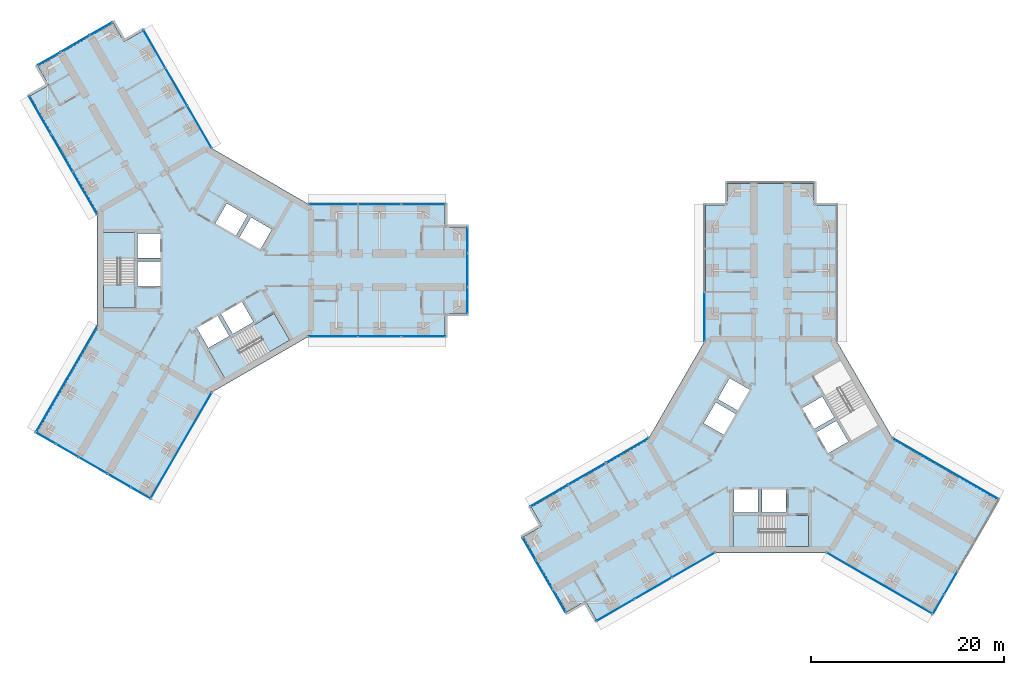
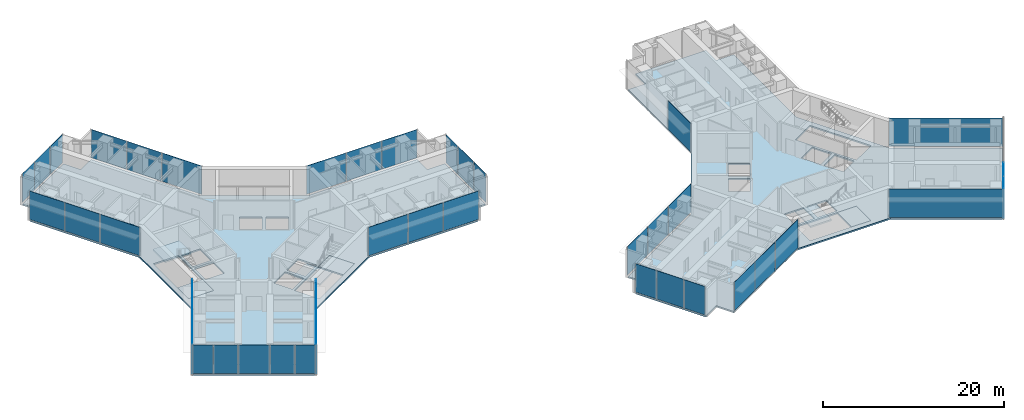
# One storey, part 13 of 22: 39 plates, 8 slabs, 19 elements without a shape of their own.
"""IFC4 building model written with IfcOpenShell, lengths in metres."""

import ifcopenshell
import ifcopenshell.guid

model = None  # the IFC model being written
_history = None  # IfcOwnerHistory: only IFC2X3 demands one
_inside = {}  # id of a spatial element -> (the spatial element, [elements in it])
_under = {}  # id of a project, library or spatial element -> (it, [spatial elements below it])
_declared = {}  # id of a project -> (the project, [libraries it declares])
_typed = {}  # id of a type object -> (the type object, [elements of that type])
_made_of = {}  # id of a material, layer set ... -> (it, [elements and type objects made of it])


def new_model(schema):
    """Start an empty IFC model of exactly this schema.

    Asked for "IFC4X3", IfcOpenShell would pick the latest addendum, in which some entities
    have other attributes; the version numbers below select the first issue.
    IFC2X3 requires an IfcOwnerHistory on every rooted entity: one is made here for all.
    """
    global model, _history
    if schema == "IFC4X3":
        model = ifcopenshell.file(schema_version=(4, 3, 0, 0))
    else:
        model = ifcopenshell.file(schema=schema)
    _inside.clear()
    _under.clear()
    _declared.clear()
    _typed.clear()
    _made_of.clear()
    _history = None
    if model.schema == "IFC2X3":
        org = make("IfcOrganization", Name="unknown")
        user = make(
            "IfcPersonAndOrganization",
            ThePerson=make("IfcPerson", FamilyName="unknown"),
            TheOrganization=org,
        )
        app = make(
            "IfcApplication",
            ApplicationDeveloper=org,
            Version="unknown",
            ApplicationFullName="unknown",
            ApplicationIdentifier="unknown",
        )
        _history = make(
            "IfcOwnerHistory",
            OwningUser=user,
            OwningApplication=app,
            ChangeAction="ADDED",
            CreationDate=0,
        )
    return model


def make(cls, **values):
    """One entity of the class cls with the attributes given. An attribute that is None is left unset."""
    return model.create_entity(
        cls, **{name: value for name, value in values.items() if value is not None}
    )


def rooted(cls, **values):
    """An entity with a GlobalId (a new one), such as an element, a storey or a relation."""
    return make(cls, GlobalId=ifcopenshell.guid.new(), OwnerHistory=_history, **values)


def si_unit(unit_type, name, prefix=None):
    """IfcSIUnit, for example si_unit("LENGTHUNIT", "METRE", prefix="MILLI")."""
    return make("IfcSIUnit", UnitType=unit_type, Prefix=prefix, Name=name)


def assignment(units):
    """IfcUnitAssignment: the units of a project."""
    return None if units is None else make("IfcUnitAssignment", Units=units)


def point(xyz):
    """IfcCartesianPoint."""
    return None if xyz is None else make("IfcCartesianPoint", Coordinates=xyz)


def direction(xyz):
    """IfcDirection."""
    return None if xyz is None else make("IfcDirection", DirectionRatios=xyz)


def frame(location, z_axis=None, x_axis=None):
    """IfcAxis2Placement3D, a coordinate frame: its origin and axes. An axis left out is left unset."""
    return make(
        "IfcAxis2Placement3D",
        Location=point(location),
        Axis=direction(z_axis),
        RefDirection=direction(x_axis),
    )


def frame_2d(location, x_axis=None):
    """IfcAxis2Placement2D, a coordinate frame in the plane: its origin and x axis."""
    return make(
        "IfcAxis2Placement2D", Location=point(location), RefDirection=direction(x_axis)
    )


def origin():
    """The frame at (0, 0, 0) with its axes left unset."""
    return frame((0.0, 0.0, 0.0))


def origin_2d():
    """The frame at (0, 0) in the plane with its x axis left unset."""
    return frame_2d((0.0, 0.0))


def place(relative_to, where):
    """IfcLocalPlacement: puts the frame where relative to a parent placement (None: the world)."""
    return make(
        "IfcLocalPlacement", PlacementRelTo=relative_to, RelativePlacement=where
    )


def context(
    kind, dimensions, precision=None, world=None, true_north=None, identifier=None
):
    """IfcGeometricRepresentationContext, for example the 3D "Model" context."""
    return make(
        "IfcGeometricRepresentationContext",
        ContextIdentifier=identifier,
        ContextType=kind,
        CoordinateSpaceDimension=dimensions,
        Precision=precision,
        WorldCoordinateSystem=world,
        TrueNorth=true_north,
    )


def subcontext(parent, identifier, kind, view, scale=None):
    """IfcGeometricRepresentationSubContext, for example "Body" below "Model"."""
    return make(
        "IfcGeometricRepresentationSubContext",
        ContextIdentifier=identifier,
        ContextType=kind,
        ParentContext=parent,
        TargetScale=scale,
        TargetView=view,
    )


def project(units=None, contexts=None):
    """IfcProject with its units and contexts."""
    return rooted(
        "IfcProject",
        Name="project",
        RepresentationContexts=contexts,
        UnitsInContext=assignment(units),
    )


def spatial(cls, under=None, at=None, **own):
    """A site, building, storey or space (cls), placed at a placement, below another one or the project."""
    s = rooted(cls, ObjectPlacement=at, **own)
    if under is not None:
        _under.setdefault(under.id(), (under, []))[1].append(s)
    return s


def polyline(points):
    """IfcPolyline through the points."""
    return make("IfcPolyline", Points=[point(p) for p in points])


def profile(cls, at=None, kind="AREA", **sizes):
    """A parametric profile (cls). Its sizes go by their IFC names, for example OverallWidth=200.0."""
    return make(cls, ProfileType=kind, Position=at, **sizes)


def rectangle(**sizes):
    """IfcRectangleProfileDef."""
    return profile("IfcRectangleProfileDef", **sizes)


def outline(outer, holes=None, kind="AREA"):
    """IfcArbitraryClosedProfileDef: a profile drawn as a closed curve; with holes, ...WithVoids."""
    if holes is None:
        return make("IfcArbitraryClosedProfileDef", ProfileType=kind, OuterCurve=outer)
    return make(
        "IfcArbitraryProfileDefWithVoids",
        ProfileType=kind,
        OuterCurve=outer,
        InnerCurves=holes,
    )


def extrude(swept, where, along, depth):
    """IfcExtrudedAreaSolid: the profile swept, set in the frame where, extruded along a direction by depth."""
    return make(
        "IfcExtrudedAreaSolid",
        SweptArea=swept,
        Position=where,
        ExtrudedDirection=direction(along),
        Depth=depth,
    )


def shape(context_of_items, identifier, shape_type, items):
    """IfcShapeRepresentation: the items that make up one representation, for example the "Body"."""
    return make(
        "IfcShapeRepresentation",
        ContextOfItems=context_of_items,
        RepresentationIdentifier=identifier,
        RepresentationType=shape_type,
        Items=items,
    )


def material(Name=None, Category=None):
    """IfcMaterial."""
    return make("IfcMaterial", Name=Name, Category=Category)


def layer(
    of_material, thickness, ventilated=None, Name=None, Category=None, Priority=None
):
    """IfcMaterialLayer: one layer of a wall or slab, of a material (None: an air gap)."""
    return make(
        "IfcMaterialLayer",
        Material=of_material,
        LayerThickness=thickness,
        IsVentilated=ventilated,
        Name=Name,
        Category=Category,
        Priority=Priority,
    )


def layer_set(layers, Name=None):
    """IfcMaterialLayerSet."""
    return make("IfcMaterialLayerSet", MaterialLayers=layers, LayerSetName=Name)


def made_of(thing, what):
    """Note that an element or type object is made of a material, layer set ...; save() writes the relation."""
    if what is not None:
        _made_of.setdefault(what.id(), (what, []))[1].append(thing)
    return thing


def type_object(cls, material=None, **own):
    """A type object (cls), such as IfcWallType, which elements share."""
    return made_of(rooted(cls, **own), material)


def element(
    cls,
    number,
    at=None,
    inside=None,
    cuts=None,
    type_object=None,
    material=None,
    context=None,
    identifier="Body",
    shape_type=None,
    held_by="IfcProductDefinitionShape",
    body=None,
    shapes=None,
    **own,
):
    """One element of the class cls, such as IfcWall. Its Tag is "e" and its number.

    at: its placement. inside: the storey or other place that contains it. cuts: it is an
    opening in that element (IfcRelVoidsElement). A single representation is given by context,
    identifier, shape_type and body (its items); several are given by shapes. held_by: the class
    of the entity that holds the representations. save() writes the other relations.
    """
    e = rooted(cls, Tag="e%d" % number, ObjectPlacement=at, **own)
    if body is not None:
        shapes = [shape(context, identifier, shape_type, body)]
    if shapes is not None:
        e.Representation = make(held_by, Representations=shapes)
    if inside is not None:
        _inside.setdefault(inside.id(), (inside, []))[1].append(e)
    if cuts is not None:
        rooted(
            "IfcRelVoidsElement", RelatingBuildingElement=cuts, RelatedOpeningElement=e
        )
    if type_object is not None:
        _typed.setdefault(type_object.id(), (type_object, []))[1].append(e)
    return made_of(e, material)


def aggregate(whole, parts):
    """IfcRelAggregates: a whole, such as a stair, and the parts it consists of."""
    return rooted("IfcRelAggregates", RelatingObject=whole, RelatedObjects=parts)


def save(model, path):
    """Write the relations noted so far, then the file.

    IfcRelAggregates (storeys below a building ...), IfcRelContainedInSpatialStructure (elements
    in a storey), IfcRelDefinesByType, IfcRelAssociatesMaterial and IfcRelDeclares: one each for
    every whole, place, type object, material and project.
    """
    for whole, parts in _under.values():
        aggregate(whole, parts)
    for where, things in _inside.values():
        rooted(
            "IfcRelContainedInSpatialStructure",
            RelatedElements=things,
            RelatingStructure=where,
        )
    for kind, things in _typed.values():
        rooted("IfcRelDefinesByType", RelatedObjects=things, RelatingType=kind)
    for what, things in _made_of.values():
        rooted("IfcRelAssociatesMaterial", RelatedObjects=things, RelatingMaterial=what)
    for by, libraries in _declared.values():
        rooted("IfcRelDeclares", RelatingContext=by, RelatedDefinitions=libraries)
    model.write(path)


model = new_model("IFC4")

# Units and contexts
model_context = context("Model", 3, precision=1e-05, world=origin(), true_north=direction((0.0, 1.0)))
body_context = subcontext(model_context, "Body", "Model", "MODEL_VIEW")
ifc_project = project(units=[si_unit("LENGTHUNIT", "METRE"), si_unit("AREAUNIT", "SQUARE_METRE"), si_unit("VOLUMEUNIT", "CUBIC_METRE"), si_unit("PLANEANGLEUNIT", "RADIAN"), si_unit("MASSUNIT", "GRAM", prefix="KILO")], contexts=[model_context])

# Site, building, storey
site_placement = place(None, origin())
site = spatial("IfcSite", under=ifc_project, at=site_placement, CompositionType="ELEMENT")
building_placement = place(site_placement, origin())
building = spatial("IfcBuilding", under=site, at=building_placement, Name="Upepo Twin Towers", CompositionType="ELEMENT")
storey_placement = place(building_placement, frame((0.0, 0.0, 121.5)))
storey = spatial("IfcBuildingStorey", under=building, at=storey_placement, Name="L29", CompositionType="ELEMENT", Elevation=121.5)

# Curtain wall, plates
ifc_material_1 = material(Name="Aluminium and fritted glass", Category="aluminium")
curtain_wall_type = type_object("IfcCurtainWallType", Name="Tower curtain wall TW2, fritted glass", PredefinedType="NOTDEFINED", material=ifc_material_1)
curtain_wall_1_placement = place(storey_placement, origin())
curtain_wall_1 = element("IfcCurtainWall", 1, at=curtain_wall_1_placement, inside=storey, type_object=curtain_wall_type, Name="T1 L29 wing A flank L curtain wall", PredefinedType="NOTDEFINED")
ifc_material_2 = material(Name="Ceramic-fritted laminated glass", Category="glass")
ifc_layer_1 = layer(ifc_material_2, 0.031982421875)
ifc_layer_set_1 = layer_set([ifc_layer_1], Name="Fritted glass panel, 40 per cent dot frit, 32 mm double glazed")
plate_type_1 = type_object("IfcPlateType", Name="Fritted glass panel, 40 per cent dot frit, 32 mm double glazed", PredefinedType="CURTAIN_PANEL", material=ifc_layer_set_1)
plate_1_placement = place(storey_placement, frame((13.184814453125, 6.85009765625, 0.14990234375), z_axis=(0.0, 0.0, 1.0), x_axis=(1.0, 0.0, 0.0)))
plate_1 = element("IfcPlate", 2, at=plate_1_placement, type_object=plate_type_1, Name="T1 L29 wing A flank L curtain wall panel 1", PredefinedType="CURTAIN_PANEL", context=body_context, shape_type="SweptSolid", body=[
    extrude(rectangle(XDim=5.0654296875, YDim=0.031982421875, at=origin_2d()), origin(), (0.0, 0.0, 1.0), 3.85009765625),
])
plate_2_placement = place(storey_placement, frame((18.0, 6.85009765625, 0.14990234375), z_axis=(0.0, 0.0, 1.0), x_axis=(1.0, 0.0, 0.0)))
plate_2 = element("IfcPlate", 3, at=plate_2_placement, type_object=plate_type_1, Name="T1 L29 wing A flank L curtain wall panel 2", PredefinedType="CURTAIN_PANEL", context=body_context, shape_type="SweptSolid", body=[
    extrude(rectangle(XDim=4.43505859375, YDim=0.031982421875, at=origin_2d()), origin(), (0.0, 0.0, 1.0), 3.85009765625),
])
plate_3_placement = place(storey_placement, frame((22.53369140625, 6.85009765625, 0.14990234375), z_axis=(0.0, 0.0, 1.0), x_axis=(1.0, 0.0, 0.0)))
plate_3 = element("IfcPlate", 4, at=plate_3_placement, type_object=plate_type_1, Name="T1 L29 wing A flank L curtain wall panel 3", PredefinedType="CURTAIN_PANEL", context=body_context, shape_type="SweptSolid", body=[
    extrude(rectangle(XDim=4.50244140625, YDim=0.031982421875, at=origin_2d()), origin(), (0.0, 0.0, 1.0), 3.85009765625),
])
aggregate(curtain_wall_1, [plate_1, plate_2, plate_3])

curtain_wall_2_placement = place(storey_placement, origin())
curtain_wall_2 = element("IfcCurtainWall", 5, at=curtain_wall_2_placement, inside=storey, type_object=curtain_wall_type, Name="T1 L29 wing A flank R curtain wall", PredefinedType="NOTDEFINED")
plate_4_placement = place(storey_placement, frame((22.53369140625, -6.85009765625, 0.14990234375), z_axis=(0.0, 0.0, 1.0), x_axis=(-1.0, 0.0, 0.0)))
plate_4 = element("IfcPlate", 6, at=plate_4_placement, type_object=plate_type_1, Name="T1 L29 wing A flank R curtain wall panel 1", PredefinedType="CURTAIN_PANEL", context=body_context, shape_type="SweptSolid", body=[
    extrude(rectangle(XDim=4.50244140625, YDim=0.031982421875, at=origin_2d()), origin(), (0.0, 0.0, 1.0), 3.85009765625),
])
plate_5_placement = place(storey_placement, frame((18.0, -6.85009765625, 0.14990234375), z_axis=(0.0, 0.0, 1.0), x_axis=(-1.0, 0.0, 0.0)))
plate_5 = element("IfcPlate", 7, at=plate_5_placement, type_object=plate_type_1, Name="T1 L29 wing A flank R curtain wall panel 2", PredefinedType="CURTAIN_PANEL", context=body_context, shape_type="SweptSolid", body=[
    extrude(rectangle(XDim=4.43505859375, YDim=0.031982421875, at=origin_2d()), origin(), (0.0, 0.0, 1.0), 3.85009765625),
])
plate_6_placement = place(storey_placement, frame((13.184814453125, -6.85009765625, 0.14990234375), z_axis=(0.0, 0.0, 1.0), x_axis=(-1.0, 0.0, 0.0)))
plate_6 = element("IfcPlate", 8, at=plate_6_placement, type_object=plate_type_1, Name="T1 L29 wing A flank R curtain wall panel 3", PredefinedType="CURTAIN_PANEL", context=body_context, shape_type="SweptSolid", body=[
    extrude(rectangle(XDim=5.0654296875, YDim=0.031982421875, at=origin_2d()), origin(), (0.0, 0.0, 1.0), 3.85009765625),
])
aggregate(curtain_wall_2, [plate_4, plate_5, plate_6])

# Curtain wall, plate
curtain_wall_3_placement = place(storey_placement, origin())
curtain_wall_3 = element("IfcCurtainWall", 9, at=curtain_wall_3_placement, inside=storey, type_object=curtain_wall_type, Name="T1 L29 wing A nose curtain wall", PredefinedType="NOTDEFINED")
plate_7_placement = place(storey_placement, frame((27.10009765625, 0.0, 0.14990234375), z_axis=(0.0, 0.0, 1.0), x_axis=(0.0, 1.0, 0.0)))
plate_7 = element("IfcPlate", 10, at=plate_7_placement, type_object=plate_type_1, Name="T1 L29 wing A nose curtain wall panel 2", PredefinedType="CURTAIN_PANEL", context=body_context, shape_type="SweptSolid", body=[
    extrude(rectangle(XDim=3.43505859375, YDim=0.031982421875, at=origin_2d()), origin(), (0.0, 0.0, 1.0), 3.85009765625),
])

# Curtain wall, plates
curtain_wall_4_placement = place(storey_placement, origin())
curtain_wall_4 = element("IfcCurtainWall", 11, at=curtain_wall_4_placement, inside=storey, type_object=curtain_wall_type, Name="T1 L29 wing B flank L curtain wall", PredefinedType="NOTDEFINED")
plate_8_placement = place(storey_placement, frame((-12.524658203125, 7.993408203125, 0.14990234375), z_axis=(0.0, 0.0, 1.0), x_axis=(-0.500000010308, 0.866025397833, 0.0)))
plate_8 = element("IfcPlate", 12, at=plate_8_placement, type_object=plate_type_1, Name="T1 L29 wing B flank L curtain wall panel 1", PredefinedType="CURTAIN_PANEL", context=body_context, shape_type="SweptSolid", body=[
    extrude(rectangle(XDim=5.0654296875, YDim=0.031982421875, at=origin_2d()), origin(), (0.0, 0.0, 1.0), 3.85009765625),
])
plate_9_placement = place(storey_placement, frame((-14.932373046875, 12.16357421875, 0.14990234375), z_axis=(0.0, 0.0, 1.0), x_axis=(-0.500000010308, 0.866025397833, 0.0)))
plate_9 = element("IfcPlate", 13, at=plate_9_placement, type_object=plate_type_1, Name="T1 L29 wing B flank L curtain wall panel 2", PredefinedType="CURTAIN_PANEL", context=body_context, shape_type="SweptSolid", body=[
    extrude(rectangle(XDim=4.43505859375, YDim=0.031982421875, at=origin_2d()), origin(), (0.0, 0.0, 1.0), 3.85009765625),
])
plate_10_placement = place(storey_placement, frame((-17.19921875, 16.08984375, 0.14990234375), z_axis=(0.0, 0.0, 1.0), x_axis=(-0.500000010308, 0.866025397833, 0.0)))
plate_10 = element("IfcPlate", 14, at=plate_10_placement, type_object=plate_type_1, Name="T1 L29 wing B flank L curtain wall panel 3", PredefinedType="CURTAIN_PANEL", context=body_context, shape_type="SweptSolid", body=[
    extrude(rectangle(XDim=4.50244140625, YDim=0.031982421875, at=origin_2d()), origin(), (0.0, 0.0, 1.0), 3.85009765625),
])
aggregate(curtain_wall_4, [plate_8, plate_9, plate_10])

curtain_wall_5_placement = place(storey_placement, origin())
curtain_wall_5 = element("IfcCurtainWall", 15, at=curtain_wall_5_placement, inside=storey, type_object=curtain_wall_type, Name="T1 L29 wing B flank R curtain wall", PredefinedType="NOTDEFINED")
plate_11_placement = place(storey_placement, frame((-5.334716796875, 22.939697265625, 0.14990234375), z_axis=(0.0, 0.0, 1.0), x_axis=(0.500000010308, -0.866025397833, 0.0)))
plate_11 = element("IfcPlate", 16, at=plate_11_placement, type_object=plate_type_1, Name="T1 L29 wing B flank R curtain wall panel 1", PredefinedType="CURTAIN_PANEL", context=body_context, shape_type="SweptSolid", body=[
    extrude(rectangle(XDim=4.50244140625, YDim=0.031982421875, at=origin_2d()), origin(), (0.0, 0.0, 1.0), 3.85009765625),
])
plate_12_placement = place(storey_placement, frame((-3.067626953125, 19.013427734375, 0.14990234375), z_axis=(0.0, 0.0, 1.0), x_axis=(0.500000010308, -0.866025397833, 0.0)))
plate_12 = element("IfcPlate", 17, at=plate_12_placement, type_object=plate_type_1, Name="T1 L29 wing B flank R curtain wall panel 2", PredefinedType="CURTAIN_PANEL", context=body_context, shape_type="SweptSolid", body=[
    extrude(rectangle(XDim=4.43505859375, YDim=0.031982421875, at=origin_2d()), origin(), (0.0, 0.0, 1.0), 3.85009765625),
])
plate_13_placement = place(storey_placement, frame((-0.66015625, 14.84326171875, 0.14990234375), z_axis=(0.0, 0.0, 1.0), x_axis=(0.500000010308, -0.866025397833, 0.0)))
plate_13 = element("IfcPlate", 18, at=plate_13_placement, type_object=plate_type_1, Name="T1 L29 wing B flank R curtain wall panel 3", PredefinedType="CURTAIN_PANEL", context=body_context, shape_type="SweptSolid", body=[
    extrude(rectangle(XDim=5.0654296875, YDim=0.031982421875, at=origin_2d()), origin(), (0.0, 0.0, 1.0), 3.85009765625),
])
aggregate(curtain_wall_5, [plate_11, plate_12, plate_13])

# Curtain wall, plate
curtain_wall_6_placement = place(storey_placement, origin())
curtain_wall_6 = element("IfcCurtainWall", 19, at=curtain_wall_6_placement, inside=storey, type_object=curtain_wall_type, Name="T1 L29 wing B nose curtain wall", PredefinedType="NOTDEFINED")
plate_14_placement = place(storey_placement, frame((-13.550048828125, 23.46923828125, 0.14990234375), z_axis=(0.0, 0.0, 1.0), x_axis=(-0.866025386174, -0.500000030502, 0.0)))
plate_14 = element("IfcPlate", 20, at=plate_14_placement, type_object=plate_type_1, Name="T1 L29 wing B nose curtain wall panel 2", PredefinedType="CURTAIN_PANEL", context=body_context, shape_type="SweptSolid", body=[
    extrude(rectangle(XDim=3.43505859375, YDim=0.031982421875, at=origin_2d()), origin(), (0.0, 0.0, 1.0), 3.85009765625),
])

curtain_wall_7_placement = place(storey_placement, origin())
curtain_wall_7 = element("IfcCurtainWall", 21, at=curtain_wall_7_placement, inside=storey, type_object=curtain_wall_type, Name="T1 L29 wing C flank L curtain wall", PredefinedType="NOTDEFINED")
plate_15_placement = place(storey_placement, frame((-2.552001953125, -18.1201171875, 0.14990234375), z_axis=(0.0, 0.0, 1.0), x_axis=(-0.50000000792, -0.866025399212, 0.0)))
plate_15 = element("IfcPlate", 22, at=plate_15_placement, type_object=plate_type_1, Name="T1 L29 wing C flank L curtain wall panel 1", PredefinedType="CURTAIN_PANEL", context=body_context, shape_type="SweptSolid", body=[
    extrude(rectangle(XDim=12.6328125, YDim=0.031982421875, at=origin_2d()), origin(), (0.0, 0.0, 1.0), 3.85009765625),
])
aggregate(curtain_wall_7, [plate_15])

curtain_wall_8_placement = place(storey_placement, origin())
curtain_wall_8 = element("IfcCurtainWall", 23, at=curtain_wall_8_placement, inside=storey, type_object=curtain_wall_type, Name="T1 L29 wing C flank R curtain wall", PredefinedType="NOTDEFINED")
plate_16_placement = place(storey_placement, frame((-14.41650390625, -11.270263671875, 0.14990234375), z_axis=(0.0, 0.0, 1.0), x_axis=(0.50000000792, 0.866025399212, 0.0)))
plate_16 = element("IfcPlate", 24, at=plate_16_placement, type_object=plate_type_1, Name="T1 L29 wing C flank R curtain wall panel 1", PredefinedType="CURTAIN_PANEL", context=body_context, shape_type="SweptSolid", body=[
    extrude(rectangle(XDim=12.6328125, YDim=0.031982421875, at=origin_2d()), origin(), (0.0, 0.0, 1.0), 3.85009765625),
])
aggregate(curtain_wall_8, [plate_16])

# Curtain wall, plates
curtain_wall_9_placement = place(storey_placement, origin())
curtain_wall_9 = element("IfcCurtainWall", 25, at=curtain_wall_9_placement, inside=storey, type_object=curtain_wall_type, Name="T1 L29 wing C nose curtain wall", PredefinedType="NOTDEFINED")
plate_17_placement = place(storey_placement, frame((-14.38134765625, -18.6591796875, 0.14990234375), z_axis=(0.0, 0.0, 1.0), x_axis=(0.866025419745, -0.499999972355, 0.0)))
plate_17 = element("IfcPlate", 26, at=plate_17_placement, type_object=plate_type_1, Name="T1 L29 wing C nose curtain wall panel 2", PredefinedType="CURTAIN_PANEL", context=body_context, shape_type="SweptSolid", body=[
    extrude(rectangle(XDim=2.68505859375, YDim=0.031982421875, at=origin_2d()), origin(), (0.0, 0.0, 1.0), 3.85009765625),
])
plate_18_placement = place(storey_placement, frame((-11.675048828125, -20.2216796875, 0.14990234375), z_axis=(0.0, 0.0, 1.0), x_axis=(0.866025419745, -0.499999972355, 0.0)))
plate_18 = element("IfcPlate", 27, at=plate_18_placement, type_object=plate_type_1, Name="T1 L29 wing C nose curtain wall panel 3", PredefinedType="CURTAIN_PANEL", context=body_context, shape_type="SweptSolid", body=[
    extrude(rectangle(XDim=3.43505859375, YDim=0.031982421875, at=origin_2d()), origin(), (0.0, 0.0, 1.0), 3.85009765625),
])
plate_19_placement = place(storey_placement, frame((-8.96875, -21.7841796875, 0.14990234375), z_axis=(0.0, 0.0, 1.0), x_axis=(0.866025419745, -0.499999972355, 0.0)))
plate_19 = element("IfcPlate", 28, at=plate_19_placement, type_object=plate_type_1, Name="T1 L29 wing C nose curtain wall panel 4", PredefinedType="CURTAIN_PANEL", context=body_context, shape_type="SweptSolid", body=[
    extrude(rectangle(XDim=2.68505859375, YDim=0.031982421875, at=origin_2d()), origin(), (0.0, 0.0, 1.0), 3.85009765625),
])

# Curtain wall, plate
curtain_wall_10_placement = place(storey_placement, origin())
curtain_wall_10 = element("IfcCurtainWall", 29, at=curtain_wall_10_placement, inside=storey, type_object=curtain_wall_type, Name="T2 L29 wing A flank L curtain wall", PredefinedType="NOTDEFINED")
plate_20_placement = place(storey_placement, frame((51.64990234375, -4.815185546875, 0.14990234375), z_axis=(0.0, 0.0, 1.0), x_axis=(0.0, 1.0, 0.0)))
plate_20 = element("IfcPlate", 30, at=plate_20_placement, type_object=plate_type_1, Name="T2 L29 wing A flank L curtain wall panel 1", PredefinedType="CURTAIN_PANEL", context=body_context, shape_type="SweptSolid", body=[
    extrude(rectangle(XDim=5.0654296875, YDim=0.031982421875, at=origin_2d()), origin(), (0.0, 0.0, 1.0), 3.85009765625),
])
aggregate(curtain_wall_10, [plate_20])

# Curtain wall, plates
curtain_wall_11_placement = place(storey_placement, origin())
curtain_wall_11 = element("IfcCurtainWall", 31, at=curtain_wall_11_placement, inside=storey, type_object=curtain_wall_type, Name="T2 L29 wing B flank L curtain wall", PredefinedType="NOTDEFINED")
plate_21_placement = place(storey_placement, frame((50.506591796875, -30.524658203125, 0.14990234375), z_axis=(0.0, 0.0, 1.0), x_axis=(-0.866025397833, -0.500000010308, 0.0)))
plate_21 = element("IfcPlate", 32, at=plate_21_placement, type_object=plate_type_1, Name="T2 L29 wing B flank L curtain wall panel 1", PredefinedType="CURTAIN_PANEL", context=body_context, shape_type="SweptSolid", body=[
    extrude(rectangle(XDim=5.0654296875, YDim=0.031982421875, at=origin_2d()), origin(), (0.0, 0.0, 1.0), 3.85009765625),
])
plate_22_placement = place(storey_placement, frame((46.33642578125, -32.932373046875, 0.14990234375), z_axis=(0.0, 0.0, 1.0), x_axis=(-0.866025397833, -0.500000010308, 0.0)))
plate_22 = element("IfcPlate", 33, at=plate_22_placement, type_object=plate_type_1, Name="T2 L29 wing B flank L curtain wall panel 2", PredefinedType="CURTAIN_PANEL", context=body_context, shape_type="SweptSolid", body=[
    extrude(rectangle(XDim=4.43505859375, YDim=0.031982421875, at=origin_2d()), origin(), (0.0, 0.0, 1.0), 3.85009765625),
])
plate_23_placement = place(storey_placement, frame((42.41015625, -35.19921875, 0.14990234375), z_axis=(0.0, 0.0, 1.0), x_axis=(-0.866025397833, -0.500000010308, 0.0)))
plate_23 = element("IfcPlate", 34, at=plate_23_placement, type_object=plate_type_1, Name="T2 L29 wing B flank L curtain wall panel 3", PredefinedType="CURTAIN_PANEL", context=body_context, shape_type="SweptSolid", body=[
    extrude(rectangle(XDim=4.50244140625, YDim=0.031982421875, at=origin_2d()), origin(), (0.0, 0.0, 1.0), 3.85009765625),
])
aggregate(curtain_wall_11, [plate_21, plate_22, plate_23])

curtain_wall_12_placement = place(storey_placement, origin())
curtain_wall_12 = element("IfcCurtainWall", 35, at=curtain_wall_12_placement, inside=storey, type_object=curtain_wall_type, Name="T2 L29 wing B flank R curtain wall", PredefinedType="NOTDEFINED")
plate_24_placement = place(storey_placement, frame((35.560302734375, -23.334716796875, 0.14990234375), z_axis=(0.0, 0.0, 1.0), x_axis=(0.866025397833, 0.500000010308, 0.0)))
plate_24 = element("IfcPlate", 36, at=plate_24_placement, type_object=plate_type_1, Name="T2 L29 wing B flank R curtain wall panel 1", PredefinedType="CURTAIN_PANEL", context=body_context, shape_type="SweptSolid", body=[
    extrude(rectangle(XDim=4.50244140625, YDim=0.031982421875, at=origin_2d()), origin(), (0.0, 0.0, 1.0), 3.85009765625),
])
plate_25_placement = place(storey_placement, frame((39.486572265625, -21.067626953125, 0.14990234375), z_axis=(0.0, 0.0, 1.0), x_axis=(0.866025397833, 0.500000010308, 0.0)))
plate_25 = element("IfcPlate", 37, at=plate_25_placement, type_object=plate_type_1, Name="T2 L29 wing B flank R curtain wall panel 2", PredefinedType="CURTAIN_PANEL", context=body_context, shape_type="SweptSolid", body=[
    extrude(rectangle(XDim=4.43505859375, YDim=0.031982421875, at=origin_2d()), origin(), (0.0, 0.0, 1.0), 3.85009765625),
])
plate_26_placement = place(storey_placement, frame((43.65673828125, -18.66015625, 0.14990234375), z_axis=(0.0, 0.0, 1.0), x_axis=(0.866025397833, 0.500000010308, 0.0)))
plate_26 = element("IfcPlate", 38, at=plate_26_placement, type_object=plate_type_1, Name="T2 L29 wing B flank R curtain wall panel 3", PredefinedType="CURTAIN_PANEL", context=body_context, shape_type="SweptSolid", body=[
    extrude(rectangle(XDim=5.0654296875, YDim=0.031982421875, at=origin_2d()), origin(), (0.0, 0.0, 1.0), 3.85009765625),
])
aggregate(curtain_wall_12, [plate_24, plate_25, plate_26])

# Curtain wall, plate
curtain_wall_13_placement = place(storey_placement, origin())
curtain_wall_13 = element("IfcCurtainWall", 39, at=curtain_wall_13_placement, inside=storey, type_object=curtain_wall_type, Name="T2 L29 wing B nose curtain wall", PredefinedType="NOTDEFINED")
plate_27_placement = place(storey_placement, frame((35.03076171875, -31.550048828125, 0.14990234375), z_axis=(0.0, 0.0, 1.0), x_axis=(0.500000030502, -0.866025386174, 0.0)))
plate_27 = element("IfcPlate", 40, at=plate_27_placement, type_object=plate_type_1, Name="T2 L29 wing B nose curtain wall panel 2", PredefinedType="CURTAIN_PANEL", context=body_context, shape_type="SweptSolid", body=[
    extrude(rectangle(XDim=3.43505859375, YDim=0.031982421875, at=origin_2d()), origin(), (0.0, 0.0, 1.0), 3.85009765625),
])

curtain_wall_14_placement = place(storey_placement, origin())
curtain_wall_14 = element("IfcCurtainWall", 41, at=curtain_wall_14_placement, inside=storey, type_object=curtain_wall_type, Name="T2 L29 wing C flank L curtain wall", PredefinedType="NOTDEFINED")
plate_28_placement = place(storey_placement, frame((76.6201171875, -20.552001953125, 0.14990234375), z_axis=(0.0, 0.0, 1.0), x_axis=(0.866025399212, -0.50000000792, 0.0)))
plate_28 = element("IfcPlate", 42, at=plate_28_placement, type_object=plate_type_1, Name="T2 L29 wing C flank L curtain wall panel 1", PredefinedType="CURTAIN_PANEL", context=body_context, shape_type="SweptSolid", body=[
    extrude(rectangle(XDim=12.6328125, YDim=0.031982421875, at=origin_2d()), origin(), (0.0, 0.0, 1.0), 3.85009765625),
])
aggregate(curtain_wall_14, [plate_28])

curtain_wall_15_placement = place(storey_placement, origin())
curtain_wall_15 = element("IfcCurtainWall", 43, at=curtain_wall_15_placement, inside=storey, type_object=curtain_wall_type, Name="T2 L29 wing C flank R curtain wall", PredefinedType="NOTDEFINED")
plate_29_placement = place(storey_placement, frame((69.770263671875, -32.41650390625, 0.14990234375), z_axis=(0.0, 0.0, 1.0), x_axis=(-0.866025399212, 0.50000000792, 0.0)))
plate_29 = element("IfcPlate", 44, at=plate_29_placement, type_object=plate_type_1, Name="T2 L29 wing C flank R curtain wall panel 1", PredefinedType="CURTAIN_PANEL", context=body_context, shape_type="SweptSolid", body=[
    extrude(rectangle(XDim=12.6328125, YDim=0.031982421875, at=origin_2d()), origin(), (0.0, 0.0, 1.0), 3.85009765625),
])
aggregate(curtain_wall_15, [plate_29])

curtain_wall_16_placement = place(storey_placement, origin())
curtain_wall_16 = element("IfcCurtainWall", 45, at=curtain_wall_16_placement, inside=storey, type_object=curtain_wall_type, Name="T2 L29 wing C nose curtain wall", PredefinedType="NOTDEFINED")
plate_30_placement = place(storey_placement, frame((77.1591796875, -32.38134765625, 0.14990234375), z_axis=(0.0, 0.0, 1.0), x_axis=(0.499999972355, 0.866025419745, 0.0)))
plate_30 = element("IfcPlate", 46, at=plate_30_placement, type_object=plate_type_1, Name="T2 L29 wing C nose curtain wall panel 2", PredefinedType="CURTAIN_PANEL", context=body_context, shape_type="SweptSolid", body=[
    extrude(rectangle(XDim=2.68505859375, YDim=0.031982421875, at=origin_2d()), origin(), (0.0, 0.0, 1.0), 3.85009765625),
])

# Plate
ifc_material_3 = material(Name="Clear laminated glass in opening sash", Category="glass")
ifc_layer_2 = layer(ifc_material_3, 0.031982421875)
ifc_layer_set_2 = layer_set([ifc_layer_2], Name="Operable glass panel, 32 mm double glazed")
plate_type_2 = type_object("IfcPlateType", Name="Operable glass panel, 32 mm double glazed", PredefinedType="CURTAIN_PANEL", material=ifc_layer_set_2)
plate_31_placement = place(storey_placement, frame((27.10009765625, -3.108642578125, 0.14990234375), z_axis=(0.0, 0.0, 1.0), x_axis=(0.0, 1.0, 0.0)))
plate_31 = element("IfcPlate", 47, at=plate_31_placement, type_object=plate_type_2, Name="T1 L29 wing A nose curtain wall panel 1", PredefinedType="CURTAIN_PANEL", context=body_context, shape_type="SweptSolid", body=[
    extrude(rectangle(XDim=2.652587890625, YDim=0.031982421875, at=origin_2d()), origin(), (0.0, 0.0, 1.0), 3.85009765625),
])

plate_32_placement = place(storey_placement, frame((27.10009765625, 3.108642578125, 0.14990234375), z_axis=(0.0, 0.0, 1.0), x_axis=(0.0, 1.0, 0.0)))
plate_32 = element("IfcPlate", 48, at=plate_32_placement, type_object=plate_type_2, Name="T1 L29 wing A nose curtain wall panel 3", PredefinedType="CURTAIN_PANEL", context=body_context, shape_type="SweptSolid", body=[
    extrude(rectangle(XDim=2.652587890625, YDim=0.031982421875, at=origin_2d()), origin(), (0.0, 0.0, 1.0), 3.85009765625),
])

aggregate(curtain_wall_3, [plate_31, plate_7, plate_32])

plate_33_placement = place(storey_placement, frame((-10.857666015625, 25.023681640625, 0.14990234375), z_axis=(0.0, 0.0, 1.0), x_axis=(-0.866025386174, -0.500000030502, 0.0)))
plate_33 = element("IfcPlate", 49, at=plate_33_placement, type_object=plate_type_2, Name="T1 L29 wing B nose curtain wall panel 1", PredefinedType="CURTAIN_PANEL", context=body_context, shape_type="SweptSolid", body=[
    extrude(rectangle(XDim=2.652587890625, YDim=0.031982421875, at=origin_2d()), origin(), (0.0, 0.0, 1.0), 3.85009765625),
])

plate_34_placement = place(storey_placement, frame((-16.2421875, 21.914794921875, 0.14990234375), z_axis=(0.0, 0.0, 1.0), x_axis=(-0.866025386174, -0.500000030502, 0.0)))
plate_34 = element("IfcPlate", 50, at=plate_34_placement, type_object=plate_type_2, Name="T1 L29 wing B nose curtain wall panel 3", PredefinedType="CURTAIN_PANEL", context=body_context, shape_type="SweptSolid", body=[
    extrude(rectangle(XDim=2.652587890625, YDim=0.031982421875, at=origin_2d()), origin(), (0.0, 0.0, 1.0), 3.85009765625),
])

aggregate(curtain_wall_6, [plate_33, plate_14, plate_34])

plate_35_placement = place(storey_placement, frame((-16.618896484375, -17.367431640625, 0.14990234375), z_axis=(0.0, 0.0, 1.0), x_axis=(0.866025419745, -0.499999972355, 0.0)))
plate_35 = element("IfcPlate", 51, at=plate_35_placement, type_object=plate_type_2, Name="T1 L29 wing C nose curtain wall panel 1", PredefinedType="CURTAIN_PANEL", context=body_context, shape_type="SweptSolid", body=[
    extrude(rectangle(XDim=2.3525390625, YDim=0.031982421875, at=origin_2d()), origin(), (0.0, 0.0, 1.0), 3.85009765625),
])

plate_36_placement = place(storey_placement, frame((-6.73095703125, -23.076171875, 0.14990234375), z_axis=(0.0, 0.0, 1.0), x_axis=(0.866025419745, -0.499999972355, 0.0)))
plate_36 = element("IfcPlate", 52, at=plate_36_placement, type_object=plate_type_2, Name="T1 L29 wing C nose curtain wall panel 5", PredefinedType="CURTAIN_PANEL", context=body_context, shape_type="SweptSolid", body=[
    extrude(rectangle(XDim=2.3525390625, YDim=0.031982421875, at=origin_2d()), origin(), (0.0, 0.0, 1.0), 3.85009765625),
])

aggregate(curtain_wall_9, [plate_35, plate_17, plate_18, plate_19, plate_36])

plate_37_placement = place(storey_placement, frame((33.476318359375, -28.857666015625, 0.14990234375), z_axis=(0.0, 0.0, 1.0), x_axis=(0.500000030502, -0.866025386174, 0.0)))
plate_37 = element("IfcPlate", 53, at=plate_37_placement, type_object=plate_type_2, Name="T2 L29 wing B nose curtain wall panel 1", PredefinedType="CURTAIN_PANEL", context=body_context, shape_type="SweptSolid", body=[
    extrude(rectangle(XDim=2.652587890625, YDim=0.031982421875, at=origin_2d()), origin(), (0.0, 0.0, 1.0), 3.85009765625),
])

plate_38_placement = place(storey_placement, frame((36.585205078125, -34.2421875, 0.14990234375), z_axis=(0.0, 0.0, 1.0), x_axis=(0.500000030502, -0.866025386174, 0.0)))
plate_38 = element("IfcPlate", 54, at=plate_38_placement, type_object=plate_type_2, Name="T2 L29 wing B nose curtain wall panel 3", PredefinedType="CURTAIN_PANEL", context=body_context, shape_type="SweptSolid", body=[
    extrude(rectangle(XDim=2.652587890625, YDim=0.031982421875, at=origin_2d()), origin(), (0.0, 0.0, 1.0), 3.85009765625),
])

aggregate(curtain_wall_13, [plate_37, plate_27, plate_38])

plate_39_placement = place(storey_placement, frame((75.867431640625, -34.618896484375, 0.14990234375), z_axis=(0.0, 0.0, 1.0), x_axis=(0.499999972355, 0.866025419745, 0.0)))
plate_39 = element("IfcPlate", 55, at=plate_39_placement, type_object=plate_type_2, Name="T2 L29 wing C nose curtain wall panel 1", PredefinedType="CURTAIN_PANEL", context=body_context, shape_type="SweptSolid", body=[
    extrude(rectangle(XDim=2.3525390625, YDim=0.031982421875, at=origin_2d()), origin(), (0.0, 0.0, 1.0), 3.85009765625),
])

aggregate(curtain_wall_16, [plate_39, plate_30])

# Stair, slabs
ifc_material_4 = material(Name="Concrete C40/50", Category="concrete")
stair_type = type_object("IfcStairType", Name="Core stair, two flights", PredefinedType="HALF_TURN_STAIR", material=ifc_material_4)
stair_1_placement = place(storey_placement, origin())
stair_1 = element("IfcStair", 56, at=stair_1_placement, inside=storey, type_object=stair_type, Name="T1 stair S1 L29", PredefinedType="HALF_TURN_STAIR")
ifc_material_5 = material(Name="Concrete C40/50", Category="concrete")
ifc_layer_3 = layer(ifc_material_5, 0.199951171875)
ifc_layer_set_3 = layer_set([ifc_layer_3], Name="Concrete C40/50")
slab_type_1 = type_object("IfcSlabType", Name="Stair landing 200 RC", PredefinedType="LANDING", material=ifc_layer_set_3)
slab_1_placement = place(storey_placement, frame((0.0, 0.0, -0.199951171875)))
slab_1 = element("IfcSlab", 57, at=slab_1_placement, type_object=slab_type_1, Name="Stair S1 landing 1", PredefinedType="LANDING", context=body_context, shape_type="SweptSolid", body=[
    extrude(outline(polyline([(-7.39990234375, -1.419921875), (-10.6083984375, -1.419921875), (-10.6083984375, -3.89990234375), (-7.39990234375, -3.89990234375), (-7.39990234375, -1.419921875)])), origin(), (0.0, 0.0, 1.0), 0.199951171875),
])
slab_2_placement = place(storey_placement, frame((0.0, 0.0, 1.800048828125)))
slab_2 = element("IfcSlab", 58, at=slab_2_placement, type_object=slab_type_1, Name="Stair S1 landing 2", PredefinedType="LANDING", context=body_context, shape_type="SweptSolid", body=[
    extrude(outline(polyline([(-7.300048828125, 3.89990234375), (-10.708251953125, 3.89990234375), (-10.708251953125, 1.179931640625), (-7.300048828125, 1.179931640625), (-7.300048828125, 3.89990234375)])), origin(), (0.0, 0.0, 1.0), 0.199951171875),
])
aggregate(stair_1, [slab_1, slab_2])

stair_2_placement = place(storey_placement, origin())
stair_2 = element("IfcStair", 59, at=stair_2_placement, inside=storey, type_object=stair_type, Name="T1 stair S2 L29", PredefinedType="HALF_TURN_STAIR")
slab_3_placement = place(storey_placement, frame((0.0, 0.0, -0.199951171875)))
slab_3 = element("IfcSlab", 60, at=slab_3_placement, type_object=slab_type_1, Name="Stair S2 landing 1", PredefinedType="LANDING", context=body_context, shape_type="SweptSolid", body=[
    extrude(outline(polyline([(4.9296875, -5.698486328125), (6.533935546875, -8.47705078125), (8.681640625, -7.237060546875), (7.077392578125, -4.45849609375), (4.9296875, -5.698486328125)])), origin(), (0.0, 0.0, 1.0), 0.199951171875),
])
slab_4_placement = place(storey_placement, frame((0.0, 0.0, 1.800048828125)))
slab_4 = element("IfcSlab", 61, at=slab_4_placement, type_object=slab_type_1, Name="Stair S2 landing 2", PredefinedType="LANDING", context=body_context, shape_type="SweptSolid", body=[
    extrude(outline(polyline([(0.2724609375, -8.27197265625), (1.9765625, -11.2236328125), (4.332275390625, -9.86376953125), (2.628173828125, -6.911865234375), (0.2724609375, -8.27197265625)])), origin(), (0.0, 0.0, 1.0), 0.199951171875),
])
aggregate(stair_2, [slab_3, slab_4])

stair_3_placement = place(storey_placement, origin())
stair_3 = element("IfcStair", 62, at=stair_3_placement, inside=storey, type_object=stair_type, Name="T2 stair S1 L29", PredefinedType="HALF_TURN_STAIR")
slab_5_placement = place(storey_placement, frame((0.0, 0.0, -0.199951171875)))
slab_5 = element("IfcSlab", 63, at=slab_5_placement, type_object=slab_type_1, Name="Stair S1 landing 1", PredefinedType="LANDING", context=body_context, shape_type="SweptSolid", body=[
    extrude(outline(polyline([(59.919921875, -25.39990234375), (59.919921875, -28.6083984375), (62.39990234375, -28.6083984375), (62.39990234375, -25.39990234375), (59.919921875, -25.39990234375)])), origin(), (0.0, 0.0, 1.0), 0.199951171875),
])
slab_6_placement = place(storey_placement, frame((0.0, 0.0, 1.800048828125)))
slab_6 = element("IfcSlab", 64, at=slab_6_placement, type_object=slab_type_1, Name="Stair S1 landing 2", PredefinedType="LANDING", context=body_context, shape_type="SweptSolid", body=[
    extrude(outline(polyline([(54.60009765625, -25.300048828125), (54.60009765625, -28.708251953125), (57.320068359375, -28.708251953125), (57.320068359375, -25.300048828125), (54.60009765625, -25.300048828125)])), origin(), (0.0, 0.0, 1.0), 0.199951171875),
])
aggregate(stair_3, [slab_5, slab_6])

# Slabs
ifc_material_6 = material(Name="Concrete C40/50", Category="concrete")
ifc_layer_4 = layer(ifc_material_6, 0.199951171875)
ifc_layer_set_4 = layer_set([ifc_layer_4], Name="Concrete C40/50")
slab_type_2 = type_object("IfcSlabType", Name="Tower floor slab 200 RC", PredefinedType="FLOOR", material=ifc_layer_set_4)
slab_7_placement = place(storey_placement, frame((0.0, 0.0, -0.199951171875)))
element("IfcSlab", 65, at=slab_7_placement, inside=storey, type_object=slab_type_2, Name="T1 L29 floor slab", PredefinedType="FLOOR", context=body_context, shape_type="SweptSolid", body=[
    extrude(outline(polyline([(-17.470703125, -16.760009765625), (-11.25830078125, -6.0), (-11.25830078125, 6.0), (-18.220703125, 18.05908203125), (-16.272216796875, 19.18408203125), (-17.397216796875, 21.132568359375), (-9.602783203125, 25.632568359375), (-8.477783203125, 23.68408203125), (-6.529296875, 24.80908203125), (0.43310546875, 12.75), (10.825439453125, 6.75), (24.75, 6.75), (24.75, 4.5), (27.0, 4.5), (27.0, -4.5), (24.75, -4.5), (24.75, -6.75), (10.825439453125, -6.75), (0.43310546875, -12.75), (-5.779296875, -23.510009765625), (-17.470703125, -16.760009765625)]), holes=[polyline([(5.640869140625, 2.17041015625), (6.8408203125, 4.248779296875), (4.67578125, 5.498779296875), (3.475830078125, 3.42041015625), (5.640869140625, 2.17041015625)]), polyline([(3.12939453125, 3.620361328125), (4.329345703125, 5.69873046875), (2.164306640625, 6.94873046875), (0.96435546875, 4.870361328125), (3.12939453125, 3.620361328125)]), polyline([(-4.699951171875, 3.800048828125), (-7.10009765625, 3.800048828125), (-7.10009765625, 1.300048828125), (-4.699951171875, 1.300048828125), (-4.699951171875, 3.800048828125)]), polyline([(-4.699951171875, 0.89990234375), (-7.10009765625, 0.89990234375), (-7.10009765625, -1.60009765625), (-4.699951171875, -1.60009765625), (-4.699951171875, 0.89990234375)]), polyline([(-7.39990234375, 3.89990234375), (-10.6083984375, 3.89990234375), (-10.6083984375, -3.89990234375), (-7.39990234375, -3.89990234375), (-7.39990234375, 3.89990234375)]), polyline([(-0.94091796875, -5.97021484375), (0.259033203125, -8.048828125), (2.424072265625, -6.798828125), (1.22412109375, -4.72021484375), (-0.94091796875, -5.97021484375)]), polyline([(1.570556640625, -4.520263671875), (2.7705078125, -6.598876953125), (4.935546875, -5.348876953125), (3.735595703125, -3.270263671875), (1.570556640625, -4.520263671875)]), polyline([(0.322509765625, -8.358642578125), (1.9267578125, -11.136962890625), (8.681640625, -7.237060546875), (7.077392578125, -4.45849609375), (0.322509765625, -8.358642578125)])]), origin(), (0.0, 0.0, 1.0), 0.199951171875),
])
slab_8_placement = place(storey_placement, frame((0.0, 0.0, -0.199951171875)))
element("IfcSlab", 66, at=slab_8_placement, inside=storey, type_object=slab_type_2, Name="T2 L29 floor slab", PredefinedType="FLOOR", context=body_context, shape_type="SweptSolid", body=[
    extrude(outline(polyline([(75.260009765625, -35.470703125), (64.5, -29.25830078125), (52.5, -29.25830078125), (40.44091796875, -36.220703125), (39.31591796875, -34.272216796875), (37.367431640625, -35.397216796875), (32.867431640625, -27.602783203125), (34.81591796875, -26.477783203125), (33.69091796875, -24.529296875), (45.75, -17.56689453125), (51.75, -7.174560546875), (51.75, 6.75), (54.0, 6.75), (54.0, 9.0), (63.0, 9.0), (63.0, 6.75), (65.25, 6.75), (65.25, -7.174560546875), (71.25, -17.56689453125), (82.010009765625, -23.779296875), (75.260009765625, -35.470703125)]), holes=[polyline([(56.32958984375, -12.359130859375), (54.251220703125, -11.1591796875), (53.001220703125, -13.32421875), (55.07958984375, -14.524169921875), (56.32958984375, -12.359130859375)]), polyline([(54.879638671875, -14.87060546875), (52.80126953125, -13.670654296875), (51.55126953125, -15.835693359375), (53.629638671875, -17.03564453125), (54.879638671875, -14.87060546875)]), polyline([(54.699951171875, -22.699951171875), (54.699951171875, -25.10009765625), (57.199951171875, -25.10009765625), (57.199951171875, -22.699951171875), (54.699951171875, -22.699951171875)]), polyline([(57.60009765625, -22.699951171875), (57.60009765625, -25.10009765625), (60.10009765625, -25.10009765625), (60.10009765625, -22.699951171875), (57.60009765625, -22.699951171875)]), polyline([(54.60009765625, -25.39990234375), (54.60009765625, -28.6083984375), (62.39990234375, -28.6083984375), (62.39990234375, -25.39990234375), (54.60009765625, -25.39990234375)]), polyline([(64.47021484375, -18.94091796875), (66.548828125, -17.740966796875), (65.298828125, -15.575927734375), (63.22021484375, -16.77587890625), (64.47021484375, -18.94091796875)]), polyline([(63.020263671875, -16.429443359375), (65.098876953125, -15.2294921875), (63.848876953125, -13.064453125), (61.770263671875, -14.264404296875), (63.020263671875, -16.429443359375)]), polyline([(66.858642578125, -17.677490234375), (69.636962890625, -16.0732421875), (65.737060546875, -9.318359375), (62.95849609375, -10.922607421875), (66.858642578125, -17.677490234375)])]), origin(), (0.0, 0.0, 1.0), 0.199951171875),
])

save(model, "model.ifc")
